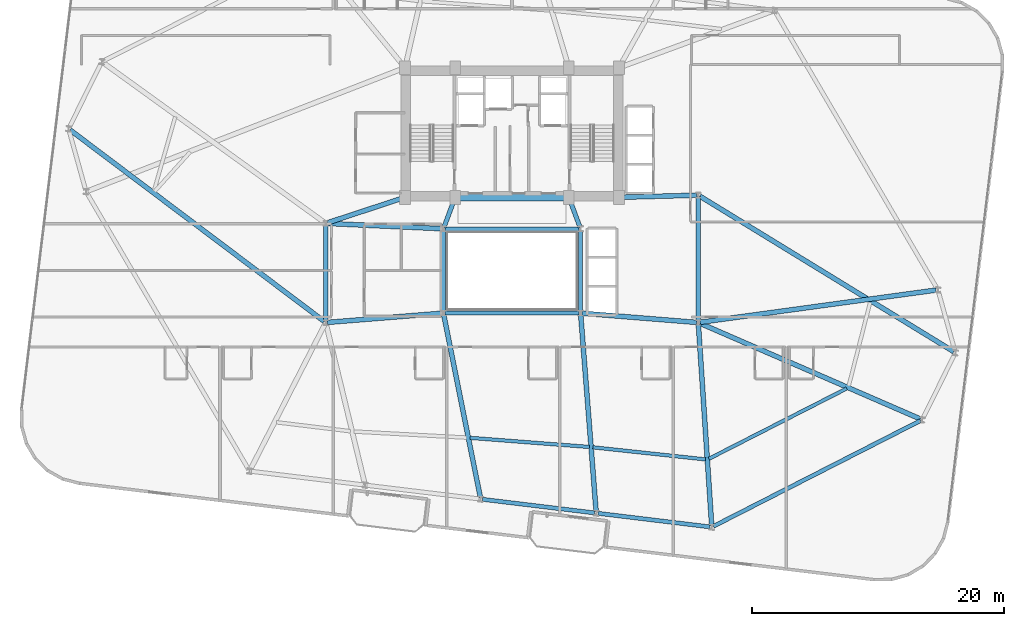
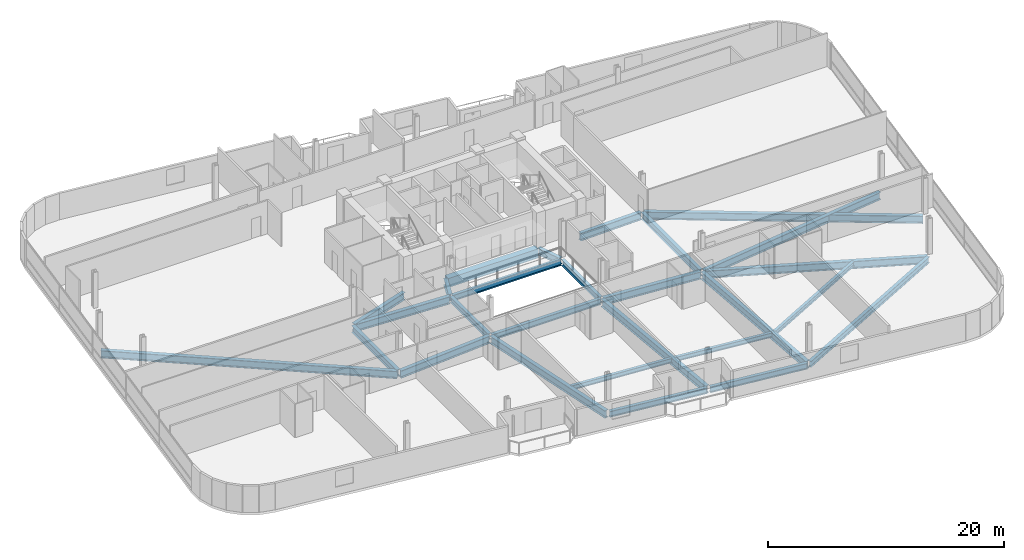
# One storey, part 7 of 26: 27 beams.
"""IFC4 building model written with IfcOpenShell, lengths in metres."""

from ifc_helpers import new_model, si_unit, direction, frame, origin, origin_2d, place, context, subcontext, project, spatial, rectangle, i_section, extrude, material, material_profile, profile_set, type_object, element, save


model = new_model("IFC4")

# Units and contexts
model_context = context("Model", 3, precision=1e-05, world=origin(), true_north=direction((0.0, 1.0)))
body_context = subcontext(model_context, "Body", "Model", "MODEL_VIEW")
ifc_project = project(units=[si_unit("LENGTHUNIT", "METRE"), si_unit("AREAUNIT", "SQUARE_METRE"), si_unit("VOLUMEUNIT", "CUBIC_METRE"), si_unit("PLANEANGLEUNIT", "RADIAN"), si_unit("MASSUNIT", "GRAM", prefix="KILO")], contexts=[model_context])

# Site, building, storey
site_placement = place(None, origin())
site = spatial("IfcSite", under=ifc_project, at=site_placement, CompositionType="ELEMENT")
building_placement = place(site_placement, origin())
building = spatial("IfcBuilding", under=site, at=building_placement, Name="Varnelok Gate Tower", CompositionType="ELEMENT")
storey_placement = place(building_placement, frame((0.0, 0.0, 143.89990234375)))
storey = spatial("IfcBuildingStorey", under=building, at=storey_placement, Name="L36", CompositionType="ELEMENT", Elevation=143.89990234375)

# Beams
ifc_material_1 = material(Name="Structural Steel ASTM A992 Grade 50", Category="steel")
ifc_material_profile_1 = material_profile(ifc_material_1, i_section(OverallWidth=0.280029296875, OverallDepth=0.462890625, WebThickness=0.0107421875, FlangeThickness=0.017333984375, FilletRadius=0.014892578125, at=origin_2d()), Name="W18X76")
ifc_profile_set_1 = profile_set([ifc_material_profile_1], Name="Structural Steel ASTM A992 Grade 50")
beam_type_1 = type_object("IfcBeamType", Name="BM-JST-W18X76", PredefinedType="JOIST", material=ifc_profile_set_1)
beam_1_placement = place(storey_placement, frame((35.873779296875, 9.636962890625, -0.4814453125), z_axis=(0.997085551333, -0.076291567836, 0.0), x_axis=(0.076291567836, 0.997085551333, 0.0)))
element("IfcBeam", 1, at=beam_1_placement, inside=storey, type_object=beam_type_1, Name="L36 Sector Floor Joist 3", PredefinedType="JOIST", context=body_context, shape_type="SweptSolid", body=[
    extrude(i_section(OverallWidth=0.280029296875, OverallDepth=0.462890625, WebThickness=0.0107421875, FlangeThickness=0.017333984375, FilletRadius=0.014892578125, at=origin_2d()), origin(), (0.0, 0.0, 1.0), 9.497802734375),
])
beam_2_placement = place(storey_placement, frame((45.622802734375, 8.88671875, -0.4814453125), z_axis=(0.994268698823, -0.106910030126, 0.0), x_axis=(0.106910030126, 0.994268698823, 0.0)))
element("IfcBeam", 2, at=beam_2_placement, inside=storey, type_object=beam_type_1, Name="L36 Sector Floor Joist 4", PredefinedType="JOIST", context=body_context, shape_type="SweptSolid", body=[
    extrude(i_section(OverallWidth=0.280029296875, OverallDepth=0.462890625, WebThickness=0.0107421875, FlangeThickness=0.017333984375, FilletRadius=0.014892578125, at=origin_2d()), origin(), (0.0, 0.0, 1.0), 9.01123046875),
])
beam_3_placement = place(storey_placement, frame((54.84619140625, 7.971923828125, -0.4814453125), z_axis=(0.890719043402, 0.45455427148, 0.0), x_axis=(-0.45455427148, 0.890719043402, 0.0)))
element("IfcBeam", 3, at=beam_3_placement, inside=storey, type_object=beam_type_1, Name="L36 Sector Floor Joist 5", PredefinedType="JOIST", context=body_context, shape_type="SweptSolid", body=[
    extrude(i_section(OverallWidth=0.280029296875, OverallDepth=0.462890625, WebThickness=0.0107421875, FlangeThickness=0.017333984375, FilletRadius=0.014892578125, at=origin_2d()), origin(), (0.0, 0.0, 1.0), 12.293701171875),
])
ifc_material_2 = material(Name="Concrete C60/75", Category="concrete")
ifc_material_profile_2 = material_profile(ifc_material_2, rectangle(XDim=0.60009765625, YDim=0.949951171875, at=origin_2d()), Name="RC950X600")
ifc_profile_set_2 = profile_set([ifc_material_profile_2], Name="Concrete C60/75")
beam_type_2 = type_object("IfcBeamType", Name="BM-LNT-RC950", PredefinedType="LINTEL", material=ifc_profile_set_2)
beam_4_placement = place(storey_placement, frame((34.800048828125, 28.75, -0.724853515625), z_axis=(1.0, 0.0, 0.0), x_axis=(0.0, 1.0, 0.0)))
element("IfcBeam", 4, at=beam_4_placement, inside=storey, type_object=beam_type_2, Name="L36 Core-Atrium Spine Beam 7", PredefinedType="LINTEL", context=body_context, shape_type="SweptSolid", body=[
    extrude(rectangle(XDim=0.60009765625, YDim=0.949951171875, at=origin_2d()), origin(), (0.0, 0.0, 1.0), 8.800048828125),
])
ifc_material_profile_3 = material_profile(ifc_material_1, i_section(OverallWidth=0.35498046875, OverallDepth=0.696044921875, WebThickness=0.015380859375, FlangeThickness=0.02490234375, FilletRadius=0.02001953125, at=origin_2d()), Name="W27X146")
ifc_profile_set_3 = profile_set([ifc_material_profile_3], Name="Structural Steel ASTM A992 Grade 50")
beam_type_3 = type_object("IfcBeamType", Name="BM-PRI-W27X146", PredefinedType="BEAM", material=ifc_profile_set_3)
for number, where, z_axis, x_axis, name in (
    (5, (33.791748046875, 26.362548828125, -0.597900390625), (0.348719329408, 0.937227202602, 0.0), (-0.937227202602, 0.348719329408, 0.0), "L36 Core-Atrium Spine Beam 12"),
    (6, (44.608154296875, 26.362548828125, -0.597900390625), (-0.348719329408, 0.937227202602, 0.0), (-0.937227202602, -0.348719329408, 0.0), "L36 Core-Atrium Spine Beam 13"),
):
    element("IfcBeam", number, at=place(storey_placement, frame(where, z_axis=z_axis, x_axis=x_axis)), inside=storey, type_object=beam_type_3, Name=name, PredefinedType="BEAM", context=body_context, shape_type="SweptSolid", body=[
        extrude(i_section(OverallWidth=0.35498046875, OverallDepth=0.696044921875, WebThickness=0.015380859375, FlangeThickness=0.02490234375, FilletRadius=0.02001953125, at=origin_2d()), origin(), (0.0, 0.0, 1.0), 2.42724609375),
    ])
beam_5_placement = place(storey_placement, frame((24.39990234375, 18.919921875, -0.597900390625), z_axis=(0.0, 1.0, 0.0), x_axis=(-1.0, 0.0, 0.0)))
element("IfcBeam", 7, at=beam_5_placement, inside=storey, type_object=beam_type_3, Name="L36 Core-Atrium Spine Beam 16", PredefinedType="BEAM", context=body_context, shape_type="SweptSolid", body=[
    extrude(i_section(OverallWidth=0.35498046875, OverallDepth=0.696044921875, WebThickness=0.015380859375, FlangeThickness=0.02490234375, FilletRadius=0.02001953125, at=origin_2d()), origin(), (0.0, 0.0, 1.0), 7.64013671875),
])
beam_6_placement = place(storey_placement, frame((54.0, 18.919921875, -0.597900390625), z_axis=(0.0, 1.0, 0.0), x_axis=(-1.0, 0.0, 0.0)))
element("IfcBeam", 8, at=beam_6_placement, inside=storey, type_object=beam_type_3, Name="L36 Core-Atrium Spine Beam 20", PredefinedType="BEAM", context=body_context, shape_type="SweptSolid", body=[
    extrude(i_section(OverallWidth=0.35498046875, OverallDepth=0.696044921875, WebThickness=0.015380859375, FlangeThickness=0.02490234375, FilletRadius=0.02001953125, at=origin_2d()), origin(), (0.0, 0.0, 1.0), 9.880126953125),
])
ifc_material_profile_4 = material_profile(ifc_material_1, i_section(OverallWidth=0.381103515625, OverallDepth=0.77294921875, WebThickness=0.0166015625, FlangeThickness=0.027099609375, FilletRadius=0.02197265625, at=origin_2d()), Name="W30X173")
ifc_profile_set_4 = profile_set([ifc_material_profile_4], Name="Structural Steel ASTM A992 Grade 50")
beam_type_4 = type_object("IfcBeamType", Name="BM-PRI-W30X173", PredefinedType="BEAM", material=ifc_profile_set_4)
beam_7_placement = place(storey_placement, frame((24.51953125, 18.8095703125, -0.636474609375), z_axis=(0.996799206292, 0.07994587128, 0.0), x_axis=(-0.07994587128, 0.996799206292, 0.0)))
element("IfcBeam", 9, at=beam_7_placement, inside=storey, type_object=beam_type_4, Name="L36 Core-Atrium Spine Beam 14", PredefinedType="BEAM", context=body_context, shape_type="SweptSolid", body=[
    extrude(i_section(OverallWidth=0.381103515625, OverallDepth=0.77294921875, WebThickness=0.0166015625, FlangeThickness=0.027099609375, FilletRadius=0.02197265625, at=origin_2d()), origin(), (0.0, 0.0, 1.0), 9.14013671875),
])
beam_8_placement = place(storey_placement, frame((24.52001953125, 26.674560546875, -0.636474609375), z_axis=(0.99894427814, -0.045938319209, 0.0), x_axis=(0.045938319209, 0.99894427814, 0.0)))
element("IfcBeam", 10, at=beam_8_placement, inside=storey, type_object=beam_type_4, Name="L36 Core-Atrium Spine Beam 15", PredefinedType="BEAM", context=body_context, shape_type="SweptSolid", body=[
    extrude(i_section(OverallWidth=0.381103515625, OverallDepth=0.77294921875, WebThickness=0.0166015625, FlangeThickness=0.027099609375, FilletRadius=0.02197265625, at=origin_2d()), origin(), (0.0, 0.0, 1.0), 9.11962890625),
])
beam_9_placement = place(storey_placement, frame((24.513916015625, 26.717529296875, -0.636474609375), z_axis=(0.950041943788, 0.312122259768, 0.0), x_axis=(-0.312122259768, 0.950041943788, 0.0)))
element("IfcBeam", 11, at=beam_9_placement, inside=storey, type_object=beam_type_4, Name="L36 Core-Atrium Spine Beam 17", PredefinedType="BEAM", context=body_context, shape_type="SweptSolid", body=[
    extrude(i_section(OverallWidth=0.381103515625, OverallDepth=0.77294921875, WebThickness=0.0166015625, FlangeThickness=0.027099609375, FilletRadius=0.02197265625, at=origin_2d()), origin(), (0.0, 0.0, 1.0), 6.391357421875),
])
beam_10_placement = place(storey_placement, frame((44.76953125, 19.540283203125, -0.636474609375), z_axis=(0.996799206292, -0.07994587128, 0.0), x_axis=(0.07994587128, 0.996799206292, 0.0)))
element("IfcBeam", 12, at=beam_10_placement, inside=storey, type_object=beam_type_4, Name="L36 Core-Atrium Spine Beam 18", PredefinedType="BEAM", context=body_context, shape_type="SweptSolid", body=[
    extrude(i_section(OverallWidth=0.381103515625, OverallDepth=0.77294921875, WebThickness=0.0166015625, FlangeThickness=0.027099609375, FilletRadius=0.02197265625, at=origin_2d()), origin(), (0.0, 0.0, 1.0), 9.14013671875),
])
beam_11_placement = place(storey_placement, frame((47.820068359375, 28.753173828125, -0.636474609375), z_axis=(0.999635880609, 0.026983443053, 0.0), x_axis=(-0.026983443053, 0.999635880609, 0.0)))
element("IfcBeam", 13, at=beam_11_placement, inside=storey, type_object=beam_type_4, Name="L36 Core-Atrium Spine Beam 19", PredefinedType="BEAM", context=body_context, shape_type="SweptSolid", body=[
    extrude(i_section(OverallWidth=0.381103515625, OverallDepth=0.77294921875, WebThickness=0.0166015625, FlangeThickness=0.027099609375, FilletRadius=0.02197265625, at=origin_2d()), origin(), (0.0, 0.0, 1.0), 6.06201171875),
])
beam_12_placement = place(storey_placement, frame((33.779541015625, 19.40283203125, -0.636474609375), z_axis=(0.1964593524, -0.980511969766, 0.0), x_axis=(0.980511969766, 0.1964593524, 0.0)))
element("IfcBeam", 14, at=beam_12_placement, inside=storey, type_object=beam_type_4, Name="L36 Radial Floor Girder 3", PredefinedType="BEAM", context=body_context, shape_type="SweptSolid", body=[
    extrude(i_section(OverallWidth=0.381103515625, OverallDepth=0.77294921875, WebThickness=0.0166015625, FlangeThickness=0.027099609375, FilletRadius=0.02197265625, at=origin_2d()), origin(), (0.0, 0.0, 1.0), 14.773193359375),
])
beam_13_placement = place(storey_placement, frame((44.66162109375, 19.400390625, -0.636474609375), z_axis=(0.078042805068, -0.996950009066, 0.0), x_axis=(0.996950009066, 0.078042805068, 0.0)))
element("IfcBeam", 15, at=beam_13_placement, inside=storey, type_object=beam_type_4, Name="L36 Radial Floor Girder 4", PredefinedType="BEAM", context=body_context, shape_type="SweptSolid", body=[
    extrude(i_section(OverallWidth=0.381103515625, OverallDepth=0.77294921875, WebThickness=0.0166015625, FlangeThickness=0.027099609375, FilletRadius=0.02197265625, at=origin_2d()), origin(), (0.0, 0.0, 1.0), 15.641357421875),
])
beam_14_placement = place(storey_placement, frame((54.010009765625, 18.650390625, -0.636474609375), z_axis=(0.066089376194, -0.997813707239, 0.0), x_axis=(0.997813707239, 0.066089376194, 0.0)))
element("IfcBeam", 16, at=beam_14_placement, inside=storey, type_object=beam_type_4, Name="L36 Radial Floor Girder 5", PredefinedType="BEAM", context=body_context, shape_type="SweptSolid", body=[
    extrude(i_section(OverallWidth=0.381103515625, OverallDepth=0.77294921875, WebThickness=0.0166015625, FlangeThickness=0.027099609375, FilletRadius=0.02197265625, at=origin_2d()), origin(), (0.0, 0.0, 1.0), 15.99169921875),
])
beam_15_placement = place(storey_placement, frame((54.1376953125, 18.740234375, -0.636474609375), z_axis=(0.917259371715, -0.398290402848, 0.0), x_axis=(0.398290402848, 0.917259371715, 0.0)))
element("IfcBeam", 17, at=beam_15_placement, inside=storey, type_object=beam_type_4, Name="L36 Radial Floor Girder 6", PredefinedType="BEAM", context=body_context, shape_type="SweptSolid", body=[
    extrude(i_section(OverallWidth=0.381103515625, OverallDepth=0.77294921875, WebThickness=0.0166015625, FlangeThickness=0.027099609375, FilletRadius=0.02197265625, at=origin_2d()), origin(), (0.0, 0.0, 1.0), 19.09765625),
])
beam_16_placement = place(storey_placement, frame((54.1279296875, 28.841796875, -0.636474609375), z_axis=(0.852781066678, -0.522268563399, 0.0), x_axis=(0.522268563399, 0.852781066678, 0.0)))
element("IfcBeam", 18, at=beam_16_placement, inside=storey, type_object=beam_type_4, Name="L36 Radial Floor Girder 7", PredefinedType="BEAM", context=body_context, shape_type="SweptSolid", body=[
    extrude(i_section(OverallWidth=0.381103515625, OverallDepth=0.77294921875, WebThickness=0.0166015625, FlangeThickness=0.027099609375, FilletRadius=0.02197265625, at=origin_2d()), origin(), (0.0, 0.0, 1.0), 23.663330078125),
])
beam_17_placement = place(storey_placement, frame((54.148681640625, 18.8203125, -0.636474609375), z_axis=(0.990818465143, 0.135198998265, 0.0), x_axis=(-0.135198998265, 0.990818465143, 0.0)))
element("IfcBeam", 19, at=beam_17_placement, inside=storey, type_object=beam_type_4, Name="L36 Radial Floor Girder 8", PredefinedType="BEAM", context=body_context, shape_type="SweptSolid", body=[
    extrude(i_section(OverallWidth=0.381103515625, OverallDepth=0.77294921875, WebThickness=0.0166015625, FlangeThickness=0.027099609375, FilletRadius=0.02197265625, at=origin_2d()), origin(), (0.0, 0.0, 1.0), 18.921142578125),
])
beam_18_placement = place(storey_placement, frame((24.2802734375, 18.890380859375, -0.636474609375), z_axis=(-0.798720202065, 0.601702616591, 0.0), x_axis=(-0.601702616591, -0.798720202065, 0.0)))
element("IfcBeam", 20, at=beam_18_placement, inside=storey, type_object=beam_type_4, Name="L36 Radial Floor Girder 15", PredefinedType="BEAM", context=body_context, shape_type="SweptSolid", body=[
    extrude(i_section(OverallWidth=0.381103515625, OverallDepth=0.77294921875, WebThickness=0.0166015625, FlangeThickness=0.027099609375, FilletRadius=0.02197265625, at=origin_2d()), origin(), (0.0, 0.0, 1.0), 25.285400390625),
])
ifc_material_profile_5 = material_profile(ifc_material_1, i_section(OverallWidth=0.323974609375, OverallDepth=0.611083984375, WebThickness=0.0126953125, FlangeThickness=0.01904296875, FilletRadius=0.01806640625, at=origin_2d()), Name="W24X104")
ifc_profile_set_5 = profile_set([ifc_material_profile_5], Name="Structural Steel ASTM A992 Grade 50")
beam_type_5 = type_object("IfcBeamType", Name="BM-SPN-W24X104", PredefinedType="SPANDREL", material=ifc_profile_set_5)
for number, where, z_axis, x_axis, name in (
    (21, (33.8701171875, 19.550048828125, -0.555419921875), (1.0, 0.0, 0.0), (0.0, 1.0, 0.0), "L36 Core-Atrium Spine Beam 8"),
    (22, (33.8701171875, 26.25, -0.555419921875), (1.0, 0.0, 0.0), (0.0, 1.0, 0.0), "L36 Core-Atrium Spine Beam 9"),
):
    element("IfcBeam", number, at=place(storey_placement, frame(where, z_axis=z_axis, x_axis=x_axis)), inside=storey, type_object=beam_type_5, Name=name, PredefinedType="SPANDREL", context=body_context, shape_type="SweptSolid", body=[
        extrude(i_section(OverallWidth=0.323974609375, OverallDepth=0.611083984375, WebThickness=0.0126953125, FlangeThickness=0.01904296875, FilletRadius=0.01806640625, at=origin_2d()), origin(), (0.0, 0.0, 1.0), 10.659912109375),
    ])
for number, where, z_axis, x_axis, name in (
    (23, (33.75, 19.669921875, -0.555419921875), (0.0, 1.0, 0.0), (-1.0, 0.0, 0.0), "L36 Core-Atrium Spine Beam 10"),
    (24, (44.64990234375, 19.669921875, -0.555419921875), (0.0, 1.0, 0.0), (-1.0, 0.0, 0.0), "L36 Core-Atrium Spine Beam 11"),
):
    element("IfcBeam", number, at=place(storey_placement, frame(where, z_axis=z_axis, x_axis=x_axis)), inside=storey, type_object=beam_type_5, Name=name, PredefinedType="SPANDREL", context=body_context, shape_type="SweptSolid", body=[
        extrude(i_section(OverallWidth=0.323974609375, OverallDepth=0.611083984375, WebThickness=0.0126953125, FlangeThickness=0.01904296875, FilletRadius=0.01806640625, at=origin_2d()), origin(), (0.0, 0.0, 1.0), 6.4599609375),
    ])
for number, where, z_axis, x_axis, name in (
    (25, (36.860107421875, 4.752197265625, -0.555419921875), (0.992734670707, -0.120324035735, 0.0), (0.120324035735, 0.992734670707, 0.0), "L36 Perimeter Spandrel Beam 3"),
    (26, (46.04296875, 3.638916015625, -0.555419921875), (0.992734670707, -0.120324035735, 0.0), (0.120324035735, 0.992734670707, 0.0), "L36 Perimeter Spandrel Beam 4"),
):
    element("IfcBeam", number, at=place(storey_placement, frame(where, z_axis=z_axis, x_axis=x_axis)), inside=storey, type_object=beam_type_5, Name=name, PredefinedType="SPANDREL", context=body_context, shape_type="SweptSolid", body=[
        extrude(i_section(OverallWidth=0.323974609375, OverallDepth=0.611083984375, WebThickness=0.0126953125, FlangeThickness=0.01904296875, FilletRadius=0.01806640625, at=origin_2d()), origin(), (0.0, 0.0, 1.0), 8.949951171875),
    ])
beam_19_placement = place(storey_placement, frame((55.21044921875, 2.612060546875, -0.555419921875), z_axis=(0.890721671543, 0.454549121486, 0.0), x_axis=(-0.454549121486, 0.890721671543, 0.0)))
element("IfcBeam", 27, at=beam_19_placement, inside=storey, type_object=beam_type_5, Name="L36 Perimeter Spandrel Beam 5", PredefinedType="SPANDREL", context=body_context, shape_type="SweptSolid", body=[
    extrude(i_section(OverallWidth=0.323974609375, OverallDepth=0.611083984375, WebThickness=0.0126953125, FlangeThickness=0.01904296875, FilletRadius=0.01806640625, at=origin_2d()), origin(), (0.0, 0.0, 1.0), 18.466796875),
])

save(model, "model.ifc")
